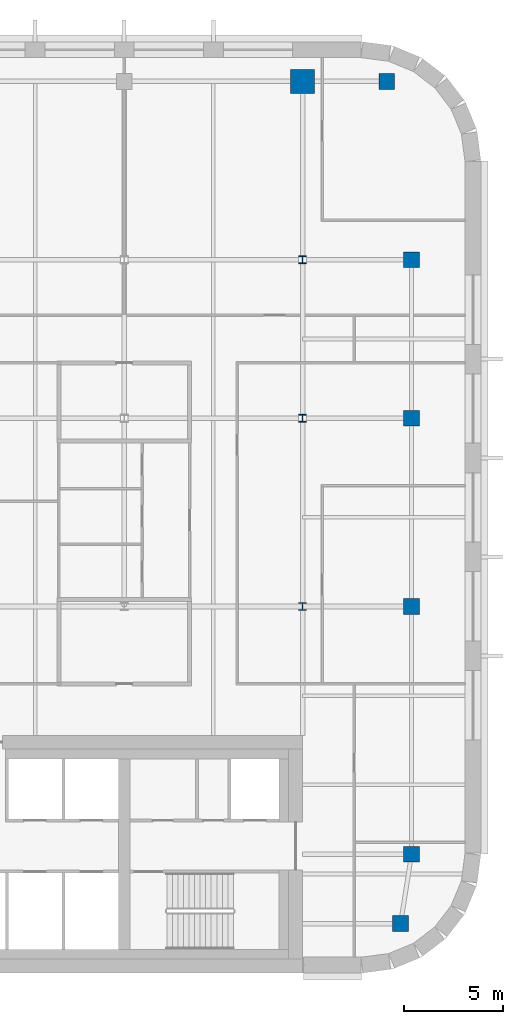
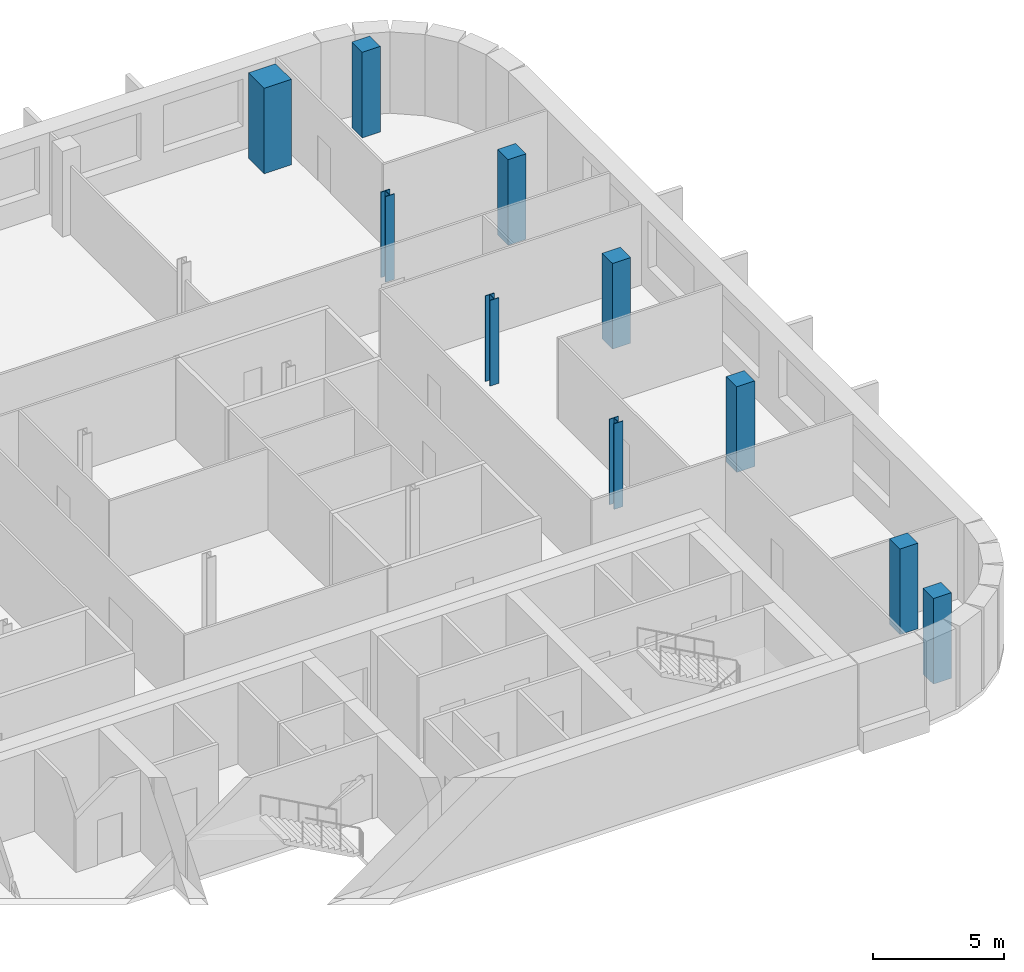
# One storey, part 4 of 17: 10 columns.
"""IFC4 building model written with IfcOpenShell, lengths in metres."""

from ifc_helpers import new_model, si_unit, direction, frame, origin, origin_2d, place, context, subcontext, project, spatial, rectangle, i_section, extrude, material, material_profile, profile_set, type_object, element, save


model = new_model("IFC4")

# Units and contexts
model_context = context("Model", 3, precision=1e-05, world=origin(), true_north=direction((0.0, 1.0)))
body_context = subcontext(model_context, "Body", "Model", "MODEL_VIEW")
ifc_project = project(units=[si_unit("LENGTHUNIT", "METRE"), si_unit("AREAUNIT", "SQUARE_METRE"), si_unit("VOLUMEUNIT", "CUBIC_METRE"), si_unit("PLANEANGLEUNIT", "RADIAN"), si_unit("MASSUNIT", "GRAM", prefix="KILO")], contexts=[model_context])

# Site, building, storey
site_placement = place(None, origin())
site = spatial("IfcSite", under=ifc_project, at=site_placement, CompositionType="ELEMENT")
building_placement = place(site_placement, origin())
building = spatial("IfcBuilding", under=site, at=building_placement, Name="Zellij Exchange Tower", CompositionType="ELEMENT")
storey_placement = place(building_placement, frame((0.0, 0.0, 224.5)))
storey = spatial("IfcBuildingStorey", under=building, at=storey_placement, Name="L52", CompositionType="ELEMENT", Elevation=224.5)

# Columns
ifc_material_1 = material(Name="Concrete C50/60", Category="concrete")
ifc_material_profile_1 = material_profile(ifc_material_1, rectangle(XDim=0.800048828125, YDim=0.800048828125, at=origin_2d()), Name="STR-COLUMN RC800x800 C50/60")
ifc_profile_set_1 = profile_set([ifc_material_profile_1], Name="Concrete C50/60")
column_type_1 = type_object("IfcColumnType", Name="STR-COLUMN RC800x800 C50/60", PredefinedType="COLUMN", material=ifc_profile_set_1)
for number, where, z_axis, x_axis, name in (
    (1, (31.949951171875, -11.5, 0.0), (0.0, 0.0, 1.0), (1.0, 0.0, 0.0), "C15"),
    (2, (32.5, -8.0, 0.0), (0.0, 0.0, 1.0), (1.0, 0.0, 0.0), "C15"),
    (3, (32.5, 4.5, 0.0), (0.0, 0.0, 1.0), (1.0, 0.0, 0.0), "C15"),
    (4, (32.5, 14.0, 0.0), (0.0, 0.0, 1.0), (1.0, 0.0, 0.0), "C15"),
    (5, (32.5, 22.0, 0.0), (0.0, 0.0, 1.0), (1.0, 0.0, 0.0), "C15"),
    (6, (31.25, 31.0, 0.0), (0.0, 0.0, 1.0), (1.0, 0.0, 0.0), "C15"),
):
    element("IfcColumn", number, at=place(storey_placement, frame(where, z_axis=z_axis, x_axis=x_axis)), inside=storey, type_object=column_type_1, Name=name, PredefinedType="COLUMN", context=body_context, shape_type="SweptSolid", body=[
        extrude(rectangle(XDim=0.800048828125, YDim=0.800048828125, at=origin_2d()), origin(), (0.0, 0.0, 1.0), 4.0),
    ])
ifc_material_2 = material(Name="Structural steel ASTM A992 Gr 50", Category="steel")
ifc_material_profile_2 = material_profile(ifc_material_2, i_section(OverallWidth=0.398681640625, OverallDepth=0.385986328125, WebThickness=0.02099609375, FlangeThickness=0.033203125, at=origin_2d()), Name="W14x176")
ifc_profile_set_2 = profile_set([ifc_material_profile_2], Name="Structural steel ASTM A992 Gr 50")
column_type_2 = type_object("IfcColumnType", Name="STR-COLUMN W14x176", PredefinedType="COLUMN", material=ifc_profile_set_2)
for number, where, z_axis, x_axis, name in (
    (7, (27.0, 4.5, 0.0), (0.0, 0.0, 1.0), (1.0, 0.0, 0.0), "C2"),
    (8, (27.0, 14.0, 0.0), (0.0, 0.0, 1.0), (1.0, 0.0, 0.0), "C2"),
    (9, (27.0, 22.0, 0.0), (0.0, 0.0, 1.0), (1.0, 0.0, 0.0), "C2"),
):
    element("IfcColumn", number, at=place(storey_placement, frame(where, z_axis=z_axis, x_axis=x_axis)), inside=storey, type_object=column_type_2, Name=name, PredefinedType="COLUMN", context=body_context, shape_type="SweptSolid", body=[
        extrude(i_section(OverallWidth=0.398681640625, OverallDepth=0.385986328125, WebThickness=0.02099609375, FlangeThickness=0.033203125, at=origin_2d()), origin(), (0.0, 0.0, 1.0), 4.0),
    ])
ifc_material_profile_3 = material_profile(ifc_material_1, rectangle(XDim=1.199951171875, YDim=1.199951171875, at=origin_2d()), Name="STR-MEGA COLUMN RC1200x1200 C50/60")
ifc_profile_set_3 = profile_set([ifc_material_profile_3], Name="Concrete C50/60")
column_type_3 = type_object("IfcColumnType", Name="STR-MEGA COLUMN RC1200x1200 C50/60", PredefinedType="COLUMN", material=ifc_profile_set_3)
column_placement = place(storey_placement, frame((27.0, 31.0, 0.0), z_axis=(0.0, 0.0, 1.0), x_axis=(1.0, 0.0, 0.0)))
element("IfcColumn", 10, at=column_placement, inside=storey, type_object=column_type_3, Name="MC2", PredefinedType="COLUMN", context=body_context, shape_type="SweptSolid", body=[
    extrude(rectangle(XDim=1.199951171875, YDim=1.199951171875, at=origin_2d()), origin(), (0.0, 0.0, 1.0), 4.0),
])

save(model, "model.ifc")
